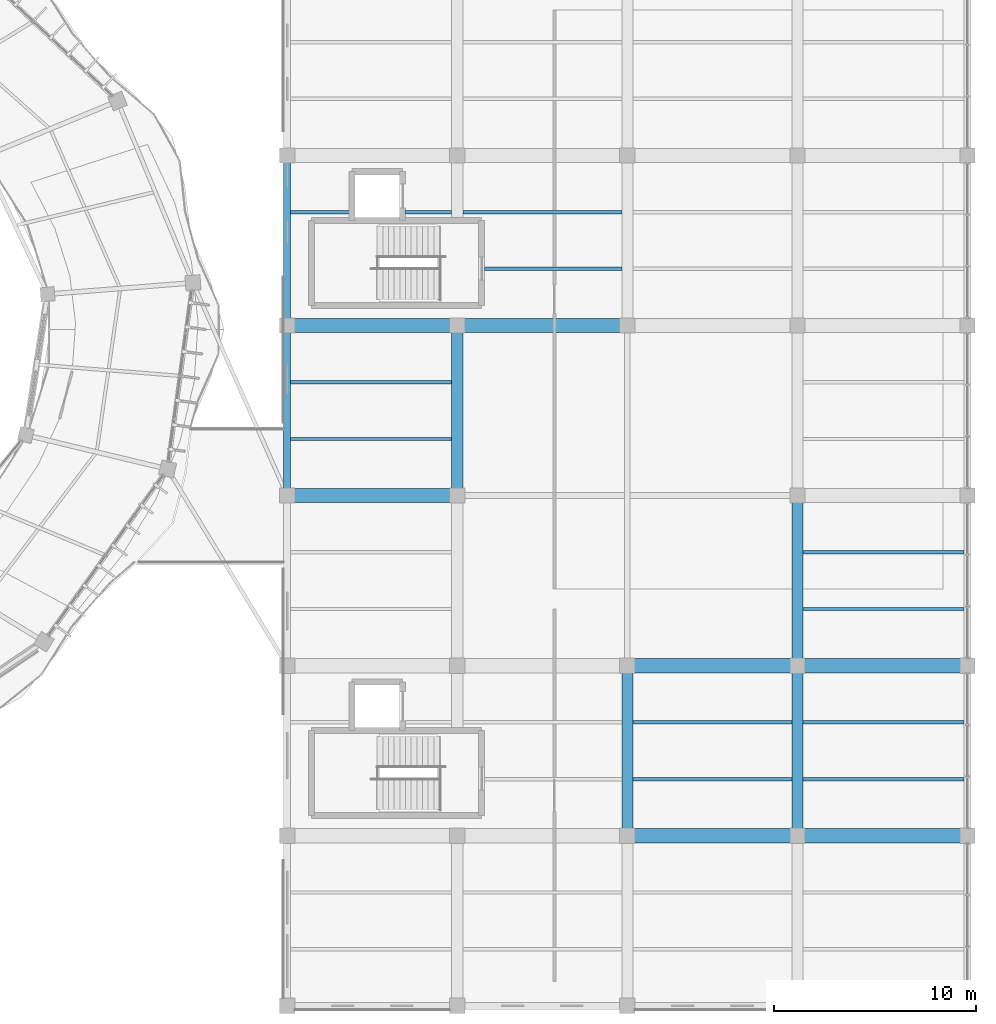
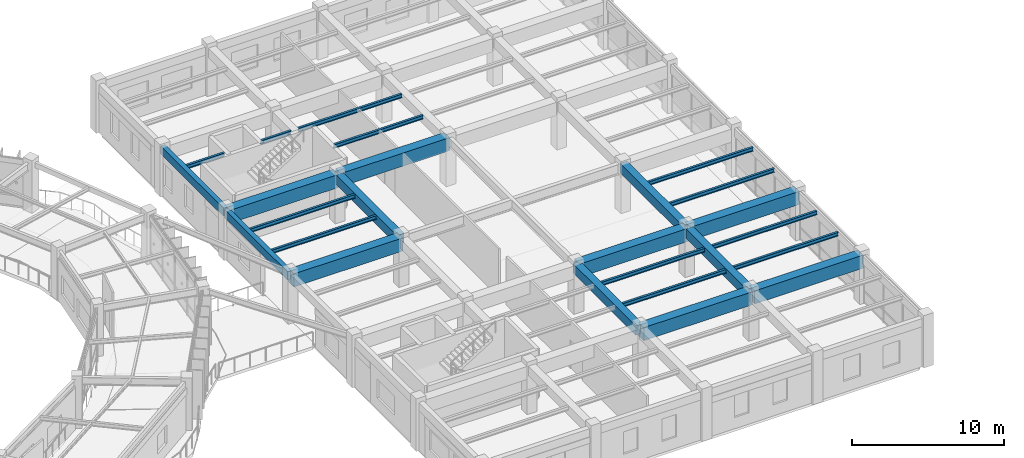
# One storey, part 100 of 152: 25 beams.
"""IFC4 building model written with IfcOpenShell, lengths in metres."""

from ifc_helpers import new_model, si_unit, direction, frame, origin, origin_2d, place, context, subcontext, project, spatial, rectangle, i_section, extrude, material, material_profile, profile_set, type_object, element, save


model = new_model("IFC4")

# Units and contexts
model_context = context("Model", 3, precision=1e-05, world=origin(), true_north=direction((0.0, 1.0)))
body_context = subcontext(model_context, "Body", "Model", "MODEL_VIEW")
ifc_project = project(units=[si_unit("LENGTHUNIT", "METRE"), si_unit("AREAUNIT", "SQUARE_METRE"), si_unit("VOLUMEUNIT", "CUBIC_METRE"), si_unit("PLANEANGLEUNIT", "RADIAN"), si_unit("MASSUNIT", "GRAM", prefix="KILO"), si_unit("THERMODYNAMICTEMPERATUREUNIT", "KELVIN"), si_unit("POWERUNIT", "WATT")], contexts=[model_context])

# Site, building, storey
site_placement = place(None, origin())
site = spatial("IfcSite", under=ifc_project, at=site_placement, CompositionType="ELEMENT")
building_placement = place(site_placement, origin())
building = spatial("IfcBuilding", under=site, at=building_placement, Name="Darbajah Civic Hall", CompositionType="ELEMENT")
storey_placement = place(building_placement, frame((0.0, 0.0, 5.39990234375)))
storey = spatial("IfcBuildingStorey", under=building, at=storey_placement, Name="L01", CompositionType="ELEMENT", Elevation=5.39990234375)

# Beams
ifc_material_1 = material(Name="Concrete C45/55", Category="concrete")
ifc_material_profile_1 = material_profile(ifc_material_1, rectangle(XDim=0.550048828125, YDim=0.75, at=origin_2d()), Name="RC BEAM 550x750")
ifc_profile_set_1 = profile_set([ifc_material_profile_1], Name="Concrete C45/55")
beam_type_1 = type_object("IfcBeamType", Name="RC BEAM 550x750", PredefinedType="BEAM", material=ifc_profile_set_1)
beam_1_placement = place(storey_placement, frame((153.0, 81.679931640625, 3.485107421875), z_axis=(0.0, 1.0, 0.0), x_axis=(-1.0, 0.0, 0.0)))
element("IfcBeam", 1, at=beam_1_placement, inside=storey, type_object=beam_type_1, Name="L01 beam BM-5575", PredefinedType="BEAM", context=body_context, shape_type="SweptSolid", body=[
    extrude(rectangle(XDim=0.550048828125, YDim=0.75, at=origin_2d()), origin(), (0.0, 0.0, 1.0), 8.239990234375),
])
for number, where, z_axis, x_axis, name in (
    (2, (161.39990234375, 64.8798828125, 3.485107421875), (0.0, 1.0, 0.0), (-1.0, 0.0, 0.0), "L01 beam BM-5575"),
    (3, (169.800048828125, 64.8798828125, 3.485107421875), (0.0, 1.0, 0.0), (-1.0, 0.0, 0.0), "L01 beam BM-5575"),
):
    element("IfcBeam", number, at=place(storey_placement, frame(where, z_axis=z_axis, x_axis=x_axis)), inside=storey, type_object=beam_type_1, Name=name, PredefinedType="BEAM", context=body_context, shape_type="SweptSolid", body=[
        extrude(rectangle(XDim=0.550048828125, YDim=0.75, at=origin_2d()), origin(), (0.0, 0.0, 1.0), 8.240234375),
    ])
beam_2_placement = place(storey_placement, frame((169.800048828125, 73.280029296875, 3.485107421875), z_axis=(0.0, 1.0, 0.0), x_axis=(-1.0, 0.0, 0.0)))
element("IfcBeam", 4, at=beam_2_placement, inside=storey, type_object=beam_type_1, Name="L01 beam BM-5575", PredefinedType="BEAM", context=body_context, shape_type="SweptSolid", body=[
    extrude(rectangle(XDim=0.550048828125, YDim=0.75, at=origin_2d()), origin(), (0.0, 0.0, 1.0), 8.239990234375),
])
ifc_material_2 = material(Name="Concrete C50/60", Category="concrete")
ifc_material_profile_2 = material_profile(ifc_material_2, rectangle(XDim=0.699951171875, YDim=1.050048828125, at=origin_2d()), Name="RC GIRDER 700x1050")
ifc_profile_set_2 = profile_set([ifc_material_profile_2], Name="Concrete C50/60")
beam_type_2 = type_object("IfcBeamType", Name="RC GIRDER 700x1050", PredefinedType="BEAM", material=ifc_profile_set_2)
beam_3_placement = place(storey_placement, frame((161.47998046875, 64.800048828125, 3.335205078125), z_axis=(1.0, 0.0, 0.0), x_axis=(0.0, 1.0, 0.0)))
element("IfcBeam", 5, at=beam_3_placement, inside=storey, type_object=beam_type_2, Name="L01 beam BG-7010", PredefinedType="BEAM", context=body_context, shape_type="SweptSolid", body=[
    extrude(rectangle(XDim=0.699951171875, YDim=1.050048828125, at=origin_2d()), origin(), (0.0, 0.0, 1.0), 8.239990234375),
])
beam_4_placement = place(storey_placement, frame((169.8798828125, 64.800048828125, 3.335205078125), z_axis=(1.0, 0.0, 0.0), x_axis=(0.0, 1.0, 0.0)))
element("IfcBeam", 6, at=beam_4_placement, inside=storey, type_object=beam_type_2, Name="L01 beam BG-7010", PredefinedType="BEAM", context=body_context, shape_type="SweptSolid", body=[
    extrude(rectangle(XDim=0.699951171875, YDim=1.050048828125, at=origin_2d()), origin(), (0.0, 0.0, 1.0), 8.240234375),
])
beam_5_placement = place(storey_placement, frame((161.47998046875, 73.199951171875, 3.335205078125), z_axis=(1.0, 0.0, 0.0), x_axis=(0.0, 1.0, 0.0)))
element("IfcBeam", 7, at=beam_5_placement, inside=storey, type_object=beam_type_2, Name="L01 beam BG-7010", PredefinedType="BEAM", context=body_context, shape_type="SweptSolid", body=[
    extrude(rectangle(XDim=0.699951171875, YDim=1.050048828125, at=origin_2d()), origin(), (0.0, 0.0, 1.0), 8.239990234375),
])
beam_6_placement = place(storey_placement, frame((169.8798828125, 73.199951171875, 3.335205078125), z_axis=(1.0, 0.0, 0.0), x_axis=(0.0, 1.0, 0.0)))
element("IfcBeam", 8, at=beam_6_placement, inside=storey, type_object=beam_type_2, Name="L01 beam BG-7010", PredefinedType="BEAM", context=body_context, shape_type="SweptSolid", body=[
    extrude(rectangle(XDim=0.699951171875, YDim=1.050048828125, at=origin_2d()), origin(), (0.0, 0.0, 1.0), 8.240234375),
])
for number, where, z_axis, x_axis, name in (
    (9, (144.679931640625, 81.60009765625, 3.335205078125), (1.0, 0.0, 0.0), (0.0, 1.0, 0.0), "L01 beam BG-7010"),
    (10, (144.679931640625, 90.0, 3.335205078125), (1.0, 0.0, 0.0), (0.0, 1.0, 0.0), "L01 beam BG-7010"),
    (11, (153.080078125, 90.0, 3.335205078125), (1.0, 0.0, 0.0), (0.0, 1.0, 0.0), "L01 beam BG-7010"),
):
    element("IfcBeam", number, at=place(storey_placement, frame(where, z_axis=z_axis, x_axis=x_axis)), inside=storey, type_object=beam_type_2, Name=name, PredefinedType="BEAM", context=body_context, shape_type="SweptSolid", body=[
        extrude(rectangle(XDim=0.699951171875, YDim=1.050048828125, at=origin_2d()), origin(), (0.0, 0.0, 1.0), 8.239990234375),
    ])
ifc_material_profile_3 = material_profile(ifc_material_1, rectangle(XDim=0.35009765625, YDim=0.64990234375, at=origin_2d()), Name="RC SPANDREL 350x650")
ifc_profile_set_3 = profile_set([ifc_material_profile_3], Name="Concrete C45/55")
beam_type_3 = type_object("IfcBeamType", Name="RC SPANDREL 350x650", PredefinedType="SPANDREL", material=ifc_profile_set_3)
for number, where, z_axis, x_axis, name in (
    (12, (144.60009765625, 81.679931640625, 3.53515625), (0.0, 1.0, 0.0), (-1.0, 0.0, 0.0), "L01 beam SP-3565"),
    (13, (144.60009765625, 90.080078125, 3.53515625), (0.0, 1.0, 0.0), (-1.0, 0.0, 0.0), "L01 beam SP-3565"),
):
    element("IfcBeam", number, at=place(storey_placement, frame(where, z_axis=z_axis, x_axis=x_axis)), inside=storey, type_object=beam_type_3, Name=name, PredefinedType="SPANDREL", context=body_context, shape_type="SweptSolid", body=[
        extrude(rectangle(XDim=0.35009765625, YDim=0.64990234375, at=origin_2d()), origin(), (0.0, 0.0, 1.0), 8.239990234375),
    ])
ifc_material_3 = material(Name="Steel S355JR", Category="steel")
ifc_material_profile_4 = material_profile(ifc_material_3, i_section(OverallWidth=0.165771484375, OverallDepth=0.306640625, WebThickness=0.006591796875, FlangeThickness=0.01171875, FilletRadius=0.0087890625, at=origin_2d()), Name="UB 305x165x46")
ifc_profile_set_4 = profile_set([ifc_material_profile_4], Name="Steel S355JR")
beam_type_4 = type_object("IfcBeamType", Name="UB 305x165x46", PredefinedType="JOIST", material=ifc_profile_set_4)
for number, where, z_axis, x_axis, name in (
    (14, (144.77490234375, 84.39990234375, 3.706787109375), (1.0, 0.0, 0.0), (0.0, 1.0, 0.0), "L01 beam SJ-305"),
    (15, (144.77490234375, 87.199951171875, 3.706787109375), (1.0, 0.0, 0.0), (0.0, 1.0, 0.0), "L01 beam SJ-305"),
):
    element("IfcBeam", number, at=place(storey_placement, frame(where, z_axis=z_axis, x_axis=x_axis)), inside=storey, type_object=beam_type_4, Name=name, PredefinedType="JOIST", context=body_context, shape_type="SweptSolid", body=[
        extrude(i_section(OverallWidth=0.165771484375, OverallDepth=0.306640625, WebThickness=0.006591796875, FlangeThickness=0.01171875, FilletRadius=0.0087890625, at=origin_2d()), origin(), (0.0, 0.0, 1.0), 7.9501953125),
    ])
beam_7_placement = place(storey_placement, frame((144.77490234375, 95.60009765625, 3.706787109375), z_axis=(1.0, 0.0, 0.0), x_axis=(0.0, 1.0, 0.0)))
element("IfcBeam", 16, at=beam_7_placement, inside=storey, type_object=beam_type_4, Name="L01 beam SJ-305", PredefinedType="JOIST", context=body_context, shape_type="SweptSolid", body=[
    extrude(i_section(OverallWidth=0.165771484375, OverallDepth=0.306640625, WebThickness=0.006591796875, FlangeThickness=0.01171875, FilletRadius=0.0087890625, at=origin_2d()), origin(), (0.0, 0.0, 1.0), 2.905029296875),
])
beam_8_placement = place(storey_placement, frame((150.419921875, 95.60009765625, 3.706787109375), z_axis=(1.0, 0.0, 0.0), x_axis=(0.0, 1.0, 0.0)))
element("IfcBeam", 17, at=beam_8_placement, inside=storey, type_object=beam_type_4, Name="L01 beam SJ-305", PredefinedType="JOIST", context=body_context, shape_type="SweptSolid", body=[
    extrude(i_section(OverallWidth=0.165771484375, OverallDepth=0.306640625, WebThickness=0.006591796875, FlangeThickness=0.01171875, FilletRadius=0.0087890625, at=origin_2d()), origin(), (0.0, 0.0, 1.0), 2.30517578125),
])
beam_9_placement = place(storey_placement, frame((154.340087890625, 92.800048828125, 3.706787109375), z_axis=(1.0, 0.0, 0.0), x_axis=(0.0, 1.0, 0.0)))
element("IfcBeam", 18, at=beam_9_placement, inside=storey, type_object=beam_type_4, Name="L01 beam SJ-305", PredefinedType="JOIST", context=body_context, shape_type="SweptSolid", body=[
    extrude(i_section(OverallWidth=0.165771484375, OverallDepth=0.306640625, WebThickness=0.006591796875, FlangeThickness=0.01171875, FilletRadius=0.0087890625, at=origin_2d()), origin(), (0.0, 0.0, 1.0), 6.784912109375),
])
beam_10_placement = place(storey_placement, frame((153.27490234375, 95.60009765625, 3.706787109375), z_axis=(1.0, 0.0, 0.0), x_axis=(0.0, 1.0, 0.0)))
element("IfcBeam", 19, at=beam_10_placement, inside=storey, type_object=beam_type_4, Name="L01 beam SJ-305", PredefinedType="JOIST", context=body_context, shape_type="SweptSolid", body=[
    extrude(i_section(OverallWidth=0.165771484375, OverallDepth=0.306640625, WebThickness=0.006591796875, FlangeThickness=0.01171875, FilletRadius=0.0087890625, at=origin_2d()), origin(), (0.0, 0.0, 1.0), 7.85009765625),
])
for number, where, z_axis, x_axis, name in (
    (20, (161.675048828125, 67.60009765625, 3.706787109375), (1.0, 0.0, 0.0), (0.0, 1.0, 0.0), "L01 beam SJ-305"),
    (21, (161.675048828125, 70.39990234375, 3.706787109375), (1.0, 0.0, 0.0), (0.0, 1.0, 0.0), "L01 beam SJ-305"),
):
    element("IfcBeam", number, at=place(storey_placement, frame(where, z_axis=z_axis, x_axis=x_axis)), inside=storey, type_object=beam_type_4, Name=name, PredefinedType="JOIST", context=body_context, shape_type="SweptSolid", body=[
        extrude(i_section(OverallWidth=0.165771484375, OverallDepth=0.306640625, WebThickness=0.006591796875, FlangeThickness=0.01171875, FilletRadius=0.0087890625, at=origin_2d()), origin(), (0.0, 0.0, 1.0), 7.849853515625),
    ])
for number, where, z_axis, x_axis, name in (
    (22, (170.074951171875, 67.60009765625, 3.706787109375), (1.0, 0.0, 0.0), (0.0, 1.0, 0.0), "L01 beam SJ-305"),
    (23, (170.074951171875, 70.39990234375, 3.706787109375), (1.0, 0.0, 0.0), (0.0, 1.0, 0.0), "L01 beam SJ-305"),
    (24, (170.074951171875, 76.0, 3.706787109375), (1.0, 0.0, 0.0), (0.0, 1.0, 0.0), "L01 beam SJ-305"),
    (25, (170.074951171875, 78.800048828125, 3.706787109375), (1.0, 0.0, 0.0), (0.0, 1.0, 0.0), "L01 beam SJ-305"),
):
    element("IfcBeam", number, at=place(storey_placement, frame(where, z_axis=z_axis, x_axis=x_axis)), inside=storey, type_object=beam_type_4, Name=name, PredefinedType="JOIST", context=body_context, shape_type="SweptSolid", body=[
        extrude(i_section(OverallWidth=0.165771484375, OverallDepth=0.306640625, WebThickness=0.006591796875, FlangeThickness=0.01171875, FilletRadius=0.0087890625, at=origin_2d()), origin(), (0.0, 0.0, 1.0), 7.949951171875),
    ])

save(model, "model.ifc")
